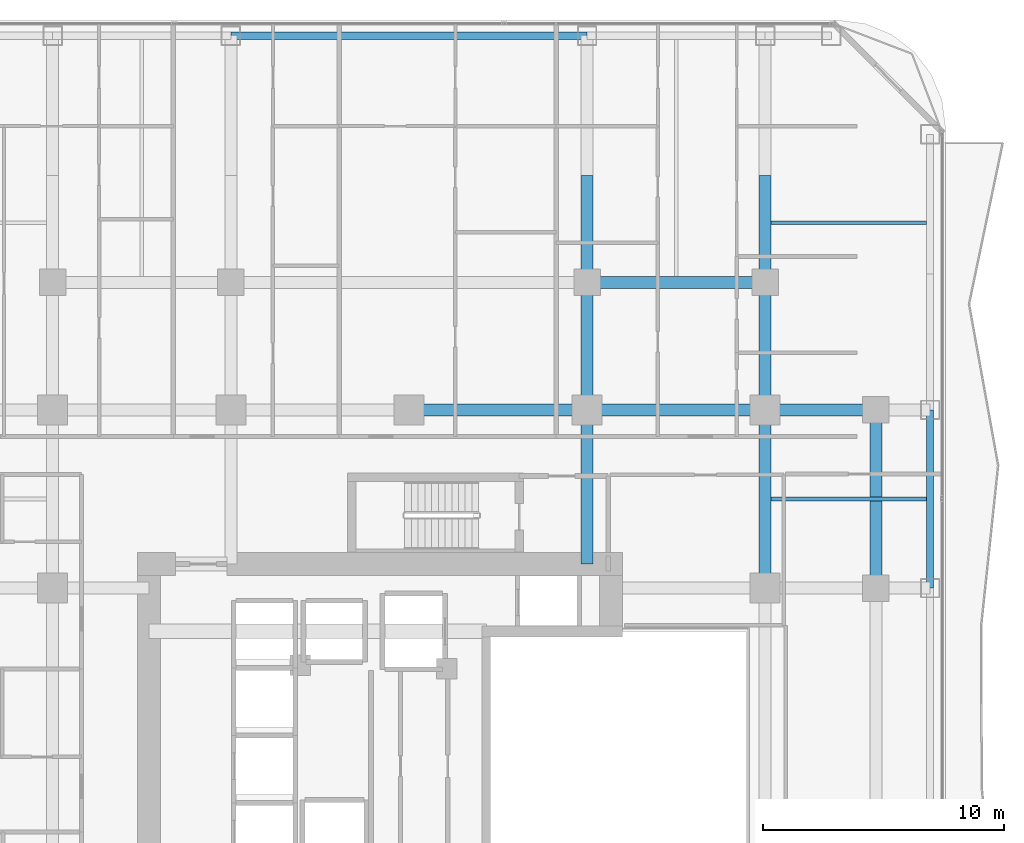
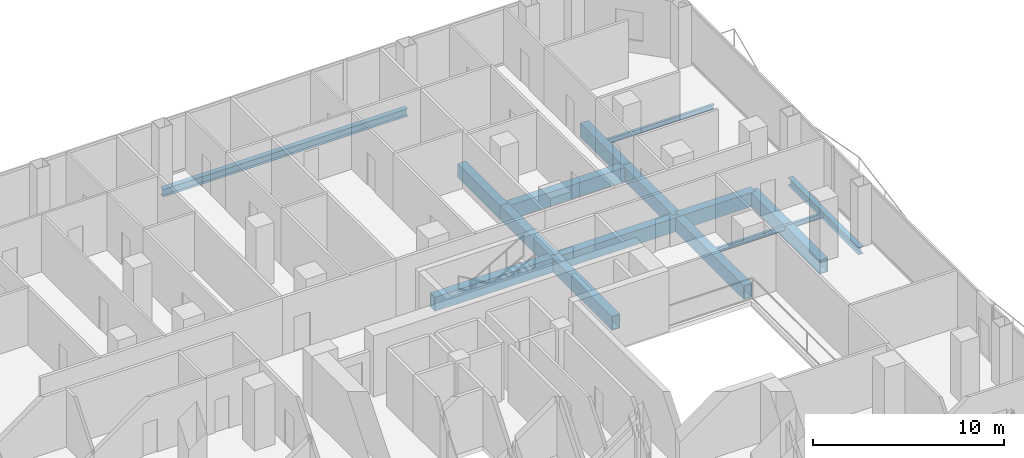
# One storey, part 13 of 29: 15 beams.
"""IFC4 building model written with IfcOpenShell, lengths in metres."""

from ifc_helpers import new_model, si_unit, direction, frame, origin, origin_2d, place, context, subcontext, project, spatial, hollow_rectangle, i_section, extrude, material, material_profile, profile_set, type_object, element, save


model = new_model("IFC4")

# Units and contexts
model_context = context("Model", 3, precision=1e-05, world=origin(), true_north=direction((0.0, 1.0)))
body_context = subcontext(model_context, "Body", "Model", "MODEL_VIEW")
ifc_project = project(units=[si_unit("LENGTHUNIT", "METRE"), si_unit("AREAUNIT", "SQUARE_METRE"), si_unit("VOLUMEUNIT", "CUBIC_METRE"), si_unit("PLANEANGLEUNIT", "RADIAN"), si_unit("MASSUNIT", "GRAM", prefix="KILO")], contexts=[model_context])

# Site, building, storey
site_placement = place(None, origin())
site = spatial("IfcSite", under=ifc_project, at=site_placement, CompositionType="ELEMENT")
building_placement = place(site_placement, origin())
building = spatial("IfcBuilding", under=site, at=building_placement, Name="Khorvyn Point Tower", CompositionType="ELEMENT")
storey_placement = place(building_placement, frame((0.0, 0.0, 85.199951171875)))
storey = spatial("IfcBuildingStorey", under=building, at=storey_placement, Name="L21", CompositionType="ELEMENT", Elevation=85.199951171875)

# Beams
ifc_material_1 = material(Name="Steel S355", Category="steel")
ifc_material_profile_1 = material_profile(ifc_material_1, i_section(OverallWidth=0.14990234375, OverallDepth=0.300048828125, WebThickness=0.006591796875, FlangeThickness=0.009033203125, at=origin_2d()))
ifc_profile_set_1 = profile_set([ifc_material_profile_1], Name="Steel S355 H300x150x6.5x9")
beam_type_1 = type_object("IfcBeamType", Name="Steel S355 Joist H300x150x6.5x9", PredefinedType="JOIST", material=ifc_profile_set_1)
for number, where, z_axis, x_axis, name in (
    (1, (15.050048828125, 11.10009765625, -0.429931640625), (1.0, 0.0, 0.0), (0.0, 1.0, 0.0), "Beam"),
    (2, (15.050048828125, 22.574951171875, -0.429931640625), (1.0, 0.0, 0.0), (0.0, 1.0, 0.0), "Beam"),
):
    element("IfcBeam", number, at=place(storey_placement, frame(where, z_axis=z_axis, x_axis=x_axis)), inside=storey, type_object=beam_type_1, Name=name, PredefinedType="JOIST", context=body_context, shape_type="SweptSolid", body=[
        extrude(i_section(OverallWidth=0.14990234375, OverallDepth=0.300048828125, WebThickness=0.006591796875, FlangeThickness=0.009033203125, at=origin_2d()), origin(), (0.0, 0.0, 1.0), 6.449951171875),
    ])
ifc_material_profile_2 = material_profile(ifc_material_1, i_section(OverallWidth=0.300048828125, OverallDepth=0.488037109375, WebThickness=0.010986328125, FlangeThickness=0.01806640625, at=origin_2d()))
ifc_profile_set_2 = profile_set([ifc_material_profile_2], Name="Steel S355 H488x300x11x18")
beam_type_2 = type_object("IfcBeamType", Name="Steel S355 Spandrel H488x300x11x18", PredefinedType="SPANDREL", material=ifc_profile_set_2)
beam_1_placement = place(storey_placement, frame((-7.39990234375, 30.35009765625, -0.52392578125), z_axis=(1.0, 0.0, 0.0), x_axis=(0.0, 1.0, 0.0)))
element("IfcBeam", 3, at=beam_1_placement, inside=storey, type_object=beam_type_2, Name="Beam", PredefinedType="SPANDREL", context=body_context, shape_type="SweptSolid", body=[
    extrude(i_section(OverallWidth=0.300048828125, OverallDepth=0.488037109375, WebThickness=0.010986328125, FlangeThickness=0.01806640625, at=origin_2d()), origin(), (0.0, 0.0, 1.0), 14.7998046875),
])
beam_2_placement = place(storey_placement, frame((21.64990234375, 7.39990234375, -0.52392578125), z_axis=(0.0, 1.0, 0.0), x_axis=(-1.0, 0.0, 0.0)))
element("IfcBeam", 4, at=beam_2_placement, inside=storey, type_object=beam_type_2, Name="Beam", PredefinedType="SPANDREL", context=body_context, shape_type="SweptSolid", body=[
    extrude(i_section(OverallWidth=0.300048828125, OverallDepth=0.488037109375, WebThickness=0.010986328125, FlangeThickness=0.01806640625, at=origin_2d()), origin(), (0.0, 0.0, 1.0), 7.400146484375),
])
ifc_material_2 = material(Name="Steel S450", Category="steel")
ifc_material_profile_3 = material_profile(ifc_material_2, hollow_rectangle(XDim=0.5, YDim=0.89990234375, WallThickness=0.0400390625, at=origin_2d()))
ifc_profile_set_3 = profile_set([ifc_material_profile_3], Name="Steel S450 BOX900x500x40")
beam_type_3 = type_object("IfcBeamType", Name="Steel S450 Beam BOX900x500x40", PredefinedType="BEAM", material=ifc_profile_set_3)
beam_3_placement = place(storey_placement, frame((0.0, 14.800048828125, -0.72998046875), z_axis=(1.0, 0.0, 0.0), x_axis=(0.0, 1.0, 0.0)))
element("IfcBeam", 5, at=beam_3_placement, inside=storey, type_object=beam_type_3, Name="L21 Radial Transfer Girder", PredefinedType="BEAM", context=body_context, shape_type="SweptSolid", body=[
    extrude(hollow_rectangle(XDim=0.5, YDim=0.89990234375, WallThickness=0.0400390625, at=origin_2d()), origin(), (0.0, 0.0, 1.0), 7.39990234375),
])
beam_4_placement = place(storey_placement, frame((7.39990234375, 14.800048828125, -0.72998046875), z_axis=(1.0, 0.0, 0.0), x_axis=(0.0, 1.0, 0.0)))
element("IfcBeam", 6, at=beam_4_placement, inside=storey, type_object=beam_type_3, Name="L21 Radial Transfer Girder", PredefinedType="BEAM", context=body_context, shape_type="SweptSolid", body=[
    extrude(hollow_rectangle(XDim=0.5, YDim=0.89990234375, WallThickness=0.0400390625, at=origin_2d()), origin(), (0.0, 0.0, 1.0), 7.400146484375),
])
beam_5_placement = place(storey_placement, frame((14.800048828125, 14.800048828125, -0.72998046875), z_axis=(1.0, 0.0, 0.0), x_axis=(0.0, 1.0, 0.0)))
element("IfcBeam", 7, at=beam_5_placement, inside=storey, type_object=beam_type_3, Name="L21 Radial Transfer Girder", PredefinedType="BEAM", context=body_context, shape_type="SweptSolid", body=[
    extrude(hollow_rectangle(XDim=0.5, YDim=0.89990234375, WallThickness=0.0400390625, at=origin_2d()), origin(), (0.0, 0.0, 1.0), 4.599853515625),
])
for number, where, z_axis, x_axis, name in (
    (8, (7.39990234375, 20.10009765625, -0.72998046875), (1.0, 0.0, 0.0), (0.0, 1.0, 0.0), "Beam"),
    (9, (14.800048828125, 7.39990234375, -0.72998046875), (0.0, 1.0, 0.0), (-1.0, 0.0, 0.0), "L21 Radial Transfer Girder"),
):
    element("IfcBeam", number, at=place(storey_placement, frame(where, z_axis=z_axis, x_axis=x_axis)), inside=storey, type_object=beam_type_3, Name=name, PredefinedType="BEAM", context=body_context, shape_type="SweptSolid", body=[
        extrude(hollow_rectangle(XDim=0.5, YDim=0.89990234375, WallThickness=0.0400390625, at=origin_2d()), origin(), (0.0, 0.0, 1.0), 7.400146484375),
    ])
beam_6_placement = place(storey_placement, frame((14.800048828125, 14.800048828125, -0.72998046875), z_axis=(0.0, 1.0, 0.0), x_axis=(-1.0, 0.0, 0.0)))
element("IfcBeam", 10, at=beam_6_placement, inside=storey, type_object=beam_type_3, Name="L21 Radial Transfer Girder", PredefinedType="BEAM", context=body_context, shape_type="SweptSolid", body=[
    extrude(hollow_rectangle(XDim=0.5, YDim=0.89990234375, WallThickness=0.0400390625, at=origin_2d()), origin(), (0.0, 0.0, 1.0), 5.300048828125),
])
beam_7_placement = place(storey_placement, frame((14.800048828125, 20.10009765625, -0.72998046875), z_axis=(0.0, 1.0, 0.0), x_axis=(-1.0, 0.0, 0.0)))
element("IfcBeam", 11, at=beam_7_placement, inside=storey, type_object=beam_type_3, Name="L21 Radial Transfer Girder", PredefinedType="BEAM", context=body_context, shape_type="SweptSolid", body=[
    extrude(hollow_rectangle(XDim=0.5, YDim=0.89990234375, WallThickness=0.0400390625, at=origin_2d()), origin(), (0.0, 0.0, 1.0), 4.449951171875),
])
beam_8_placement = place(storey_placement, frame((7.39990234375, 8.39990234375, -0.72998046875), z_axis=(0.0, 1.0, 0.0), x_axis=(-1.0, 0.0, 0.0)))
element("IfcBeam", 12, at=beam_8_placement, inside=storey, type_object=beam_type_3, Name="Beam", PredefinedType="BEAM", context=body_context, shape_type="SweptSolid", body=[
    extrude(hollow_rectangle(XDim=0.5, YDim=0.89990234375, WallThickness=0.0400390625, at=origin_2d()), origin(), (0.0, 0.0, 1.0), 6.400146484375),
])
beam_9_placement = place(storey_placement, frame((7.39990234375, 14.800048828125, -0.72998046875), z_axis=(0.0, 1.0, 0.0), x_axis=(-1.0, 0.0, 0.0)))
element("IfcBeam", 13, at=beam_9_placement, inside=storey, type_object=beam_type_3, Name="Beam", PredefinedType="BEAM", context=body_context, shape_type="SweptSolid", body=[
    extrude(hollow_rectangle(XDim=0.5, YDim=0.89990234375, WallThickness=0.0400390625, at=origin_2d()), origin(), (0.0, 0.0, 1.0), 5.300048828125),
])
beam_10_placement = place(storey_placement, frame((7.39990234375, 20.10009765625, -0.72998046875), z_axis=(0.0, 1.0, 0.0), x_axis=(-1.0, 0.0, 0.0)))
element("IfcBeam", 14, at=beam_10_placement, inside=storey, type_object=beam_type_3, Name="Beam", PredefinedType="BEAM", context=body_context, shape_type="SweptSolid", body=[
    extrude(hollow_rectangle(XDim=0.5, YDim=0.89990234375, WallThickness=0.0400390625, at=origin_2d()), origin(), (0.0, 0.0, 1.0), 4.449951171875),
])
beam_11_placement = place(storey_placement, frame((19.39990234375, 7.39990234375, -0.72998046875), z_axis=(0.0, 1.0, 0.0), x_axis=(-1.0, 0.0, 0.0)))
element("IfcBeam", 15, at=beam_11_placement, inside=storey, type_object=beam_type_3, Name="Beam", PredefinedType="BEAM", context=body_context, shape_type="SweptSolid", body=[
    extrude(hollow_rectangle(XDim=0.5, YDim=0.89990234375, WallThickness=0.0400390625, at=origin_2d()), origin(), (0.0, 0.0, 1.0), 7.400146484375),
])

save(model, "model.ifc")
